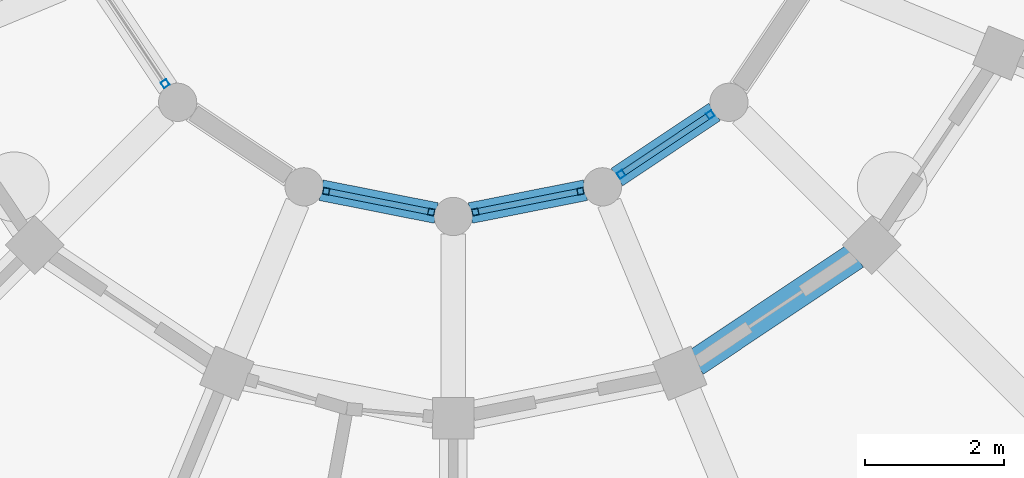
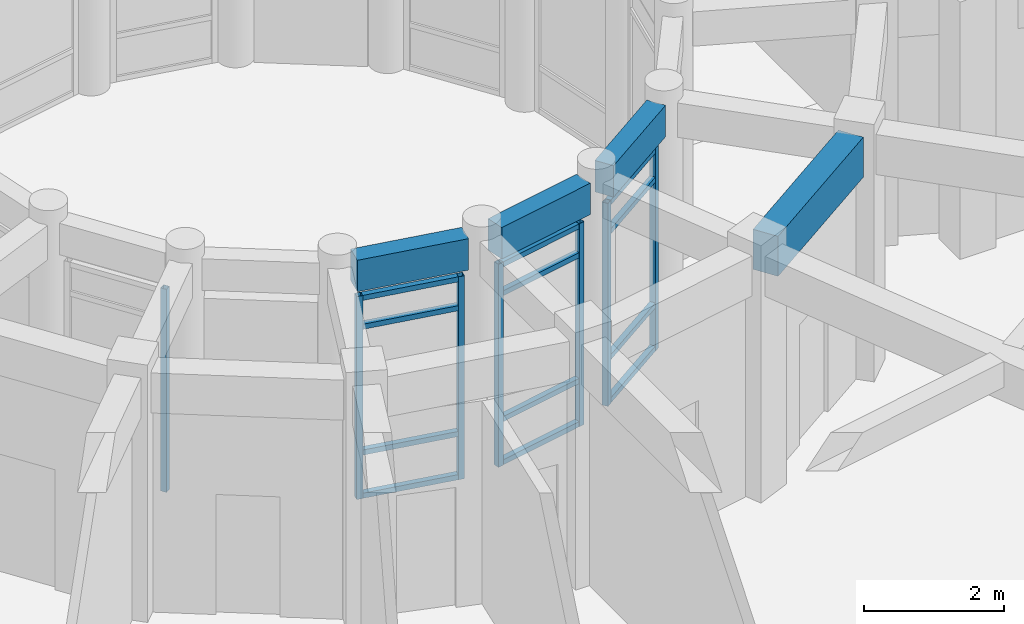
# One storey, part 18 of 153: 19 members, 4 beams, 4 elements without a shape of their own.
"""IFC4 building model written with IfcOpenShell, lengths in metres."""

from ifc_helpers import new_model, si_unit, direction, frame, origin, origin_2d, place, context, subcontext, project, spatial, rectangle, hollow_rectangle, extrude, material, material_profile, profile_set, type_object, element, aggregate, save


model = new_model("IFC4")

# Units and contexts
model_context = context("Model", 3, precision=1e-05, world=origin(), true_north=direction((0.0, 1.0)))
body_context = subcontext(model_context, "Body", "Model", "MODEL_VIEW")
ifc_project = project(units=[si_unit("LENGTHUNIT", "METRE"), si_unit("AREAUNIT", "SQUARE_METRE"), si_unit("VOLUMEUNIT", "CUBIC_METRE"), si_unit("PLANEANGLEUNIT", "RADIAN"), si_unit("MASSUNIT", "GRAM", prefix="KILO")], contexts=[model_context])

# Site, building, storey
site_placement = place(None, origin())
site = spatial("IfcSite", under=ifc_project, at=site_placement, CompositionType="ELEMENT")
building_placement = place(site_placement, origin())
building = spatial("IfcBuilding", under=site, at=building_placement, Name="Celadon Cloister-Ring School", CompositionType="ELEMENT")
storey_placement = place(building_placement, origin())
storey = spatial("IfcBuildingStorey", under=building, at=storey_placement, Name="L00", CompositionType="ELEMENT", Elevation=0.0)

# Curtain wall, member
ifc_material_1 = material(Name="Aluminium EN AW-6063 T6", Category="aluminium")
curtain_wall_type = type_object("IfcCurtainWallType", Name="CW-03", PredefinedType="USERDEFINED", material=ifc_material_1)
curtain_wall_1_placement = place(storey_placement, origin())
curtain_wall_1 = element("IfcCurtainWall", 1, at=curtain_wall_1_placement, inside=storey, type_object=curtain_wall_type, Name="Curtain Wall 0134", ObjectType="CURTAIN WALL", PredefinedType="USERDEFINED")
ifc_material_2 = material(Name="Aluminium EN AW-6063 T6", Category="aluminium")
ifc_material_profile_1 = material_profile(ifc_material_2, hollow_rectangle(XDim=0.094970703125, YDim=0.094970703125, WallThickness=0.00390625, at=origin_2d()), Name="RHS95X95X4")
ifc_profile_set_1 = profile_set([ifc_material_profile_1], Name="Aluminium EN AW-6063 T6")
member_type_1 = type_object("IfcMemberType", Name="CM-02", PredefinedType="MULLION", material=ifc_profile_set_1)
member_1_placement = place(storey_placement, frame((16.060546875, 16.30859375, 0.0), z_axis=(0.0, 0.0, 1.0), x_axis=(0.831485091394, 0.555547066224, 0.0)))
member_1 = element("IfcMember", 2, at=member_1_placement, type_object=member_type_1, Name="CW-03 mullion 2", PredefinedType="MULLION", context=body_context, shape_type="SweptSolid", body=[
    extrude(hollow_rectangle(XDim=0.094970703125, YDim=0.094970703125, WallThickness=0.00390625, at=origin_2d()), origin(), (0.0, 0.0, 1.0), 3.550048828125),
])
aggregate(curtain_wall_1, [member_1])

# Curtain wall, members
curtain_wall_2_placement = place(storey_placement, origin())
curtain_wall_2 = element("IfcCurtainWall", 3, at=curtain_wall_2_placement, inside=storey, type_object=curtain_wall_type, Name="Curtain Wall 0135", ObjectType="CURTAIN WALL", PredefinedType="USERDEFINED")
member_2_placement = place(storey_placement, frame((18.37353515625, 14.7626953125, 0.0), z_axis=(0.0, 0.0, 1.0), x_axis=(0.194586131301, 0.980885435464, 0.0)))
member_2 = element("IfcMember", 4, at=member_2_placement, type_object=member_type_1, Name="CW-03 mullion 1", PredefinedType="MULLION", context=body_context, shape_type="SweptSolid", body=[
    extrude(hollow_rectangle(XDim=0.094970703125, YDim=0.094970703125, WallThickness=0.00390625, at=origin_2d()), origin(), (0.0, 0.0, 1.0), 3.550048828125),
])
member_3_placement = place(storey_placement, frame((19.88330078125, 14.463134765625, 0.0), z_axis=(0.0, 0.0, 1.0), x_axis=(0.194586131301, 0.980885435464, 0.0)))
member_3 = element("IfcMember", 5, at=member_3_placement, type_object=member_type_1, Name="CW-03 mullion 2", PredefinedType="MULLION", context=body_context, shape_type="SweptSolid", body=[
    extrude(hollow_rectangle(XDim=0.094970703125, YDim=0.094970703125, WallThickness=0.00390625, at=origin_2d()), origin(), (0.0, 0.0, 1.0), 3.550048828125),
])

curtain_wall_3_placement = place(storey_placement, origin())
curtain_wall_3 = element("IfcCurtainWall", 6, at=curtain_wall_3_placement, inside=storey, type_object=curtain_wall_type, Name="Curtain Wall 0136", ObjectType="CURTAIN WALL", PredefinedType="USERDEFINED")
member_4_placement = place(storey_placement, frame((20.5166015625, 14.463134765625, 0.0), z_axis=(0.0, 0.0, 1.0), x_axis=(-0.194586131301, 0.980885435464, 0.0)))
member_4 = element("IfcMember", 7, at=member_4_placement, type_object=member_type_1, Name="CW-03 mullion 1", PredefinedType="MULLION", context=body_context, shape_type="SweptSolid", body=[
    extrude(hollow_rectangle(XDim=0.094970703125, YDim=0.094970703125, WallThickness=0.00390625, at=origin_2d()), origin(), (0.0, 0.0, 1.0), 3.550048828125),
])
member_5_placement = place(storey_placement, frame((22.0263671875, 14.7626953125, 0.0), z_axis=(0.0, 0.0, 1.0), x_axis=(-0.194586131301, 0.980885435464, 0.0)))
member_5 = element("IfcMember", 8, at=member_5_placement, type_object=member_type_1, Name="CW-03 mullion 2", PredefinedType="MULLION", context=body_context, shape_type="SweptSolid", body=[
    extrude(hollow_rectangle(XDim=0.094970703125, YDim=0.094970703125, WallThickness=0.00390625, at=origin_2d()), origin(), (0.0, 0.0, 1.0), 3.550048828125),
])

curtain_wall_4_placement = place(storey_placement, origin())
curtain_wall_4 = element("IfcCurtainWall", 9, at=curtain_wall_4_placement, inside=storey, type_object=curtain_wall_type, Name="Curtain Wall 0137", ObjectType="CURTAIN WALL", PredefinedType="USERDEFINED")
member_6_placement = place(storey_placement, frame((22.611572265625, 15.00537109375, 0.0), z_axis=(0.0, 0.0, 1.0), x_axis=(-0.555547066224, 0.831485091394, 0.0)))
member_6 = element("IfcMember", 10, at=member_6_placement, type_object=member_type_1, Name="CW-03 mullion 1", PredefinedType="MULLION", context=body_context, shape_type="SweptSolid", body=[
    extrude(hollow_rectangle(XDim=0.094970703125, YDim=0.094970703125, WallThickness=0.00390625, at=origin_2d()), origin(), (0.0, 0.0, 1.0), 3.550048828125),
])
member_7_placement = place(storey_placement, frame((23.8916015625, 15.860595703125, 0.0), z_axis=(0.0, 0.0, 1.0), x_axis=(-0.555547066224, 0.831485091394, 0.0)))
member_7 = element("IfcMember", 11, at=member_7_placement, type_object=member_type_1, Name="CW-03 mullion 2", PredefinedType="MULLION", context=body_context, shape_type="SweptSolid", body=[
    extrude(hollow_rectangle(XDim=0.094970703125, YDim=0.094970703125, WallThickness=0.00390625, at=origin_2d()), origin(), (0.0, 0.0, 1.0), 3.550048828125),
])

# Member
ifc_material_3 = material(Name="Aluminium EN AW-6063 T6", Category="aluminium")
ifc_material_profile_2 = material_profile(ifc_material_3, hollow_rectangle(XDim=0.090087890625, YDim=0.090087890625, WallThickness=0.00390625, at=origin_2d()), Name="RHS90X90X4")
ifc_profile_set_2 = profile_set([ifc_material_profile_2], Name="Aluminium EN AW-6063 T6")
member_type_2 = type_object("IfcMemberType", Name="CTM-02", PredefinedType="USERDEFINED", material=ifc_profile_set_2)
member_8_placement = place(storey_placement, frame((18.420166015625, 14.75341796875, 0.044921875), z_axis=(0.98089149302, -0.194555593394, 0.0), x_axis=(0.194555593394, 0.98089149302, 0.0)))
member_8 = element("IfcMember", 12, at=member_8_placement, type_object=member_type_2, Name="CW-03 transom 1.1", ObjectType="TRANSOM", PredefinedType="USERDEFINED", context=body_context, shape_type="SweptSolid", body=[
    extrude(hollow_rectangle(XDim=0.090087890625, YDim=0.090087890625, WallThickness=0.00390625, at=origin_2d()), origin(), (0.0, 0.0, 1.0), 1.4443359375),
])

member_9_placement = place(storey_placement, frame((18.420166015625, 14.75341796875, 0.800048828125), z_axis=(0.98089149302, -0.194555593394, 0.0), x_axis=(0.194555593394, 0.98089149302, 0.0)))
member_9 = element("IfcMember", 13, at=member_9_placement, type_object=member_type_2, Name="CW-03 transom 1.2", ObjectType="TRANSOM", PredefinedType="USERDEFINED", context=body_context, shape_type="SweptSolid", body=[
    extrude(hollow_rectangle(XDim=0.090087890625, YDim=0.090087890625, WallThickness=0.00390625, at=origin_2d()), origin(), (0.0, 0.0, 1.0), 1.4443359375),
])

member_10_placement = place(storey_placement, frame((18.420166015625, 14.75341796875, 3.0), z_axis=(0.98089149302, -0.194555593394, 0.0), x_axis=(0.194555593394, 0.98089149302, 0.0)))
member_10 = element("IfcMember", 14, at=member_10_placement, type_object=member_type_2, Name="CW-03 transom 1.3", ObjectType="TRANSOM", PredefinedType="USERDEFINED", context=body_context, shape_type="SweptSolid", body=[
    extrude(hollow_rectangle(XDim=0.090087890625, YDim=0.090087890625, WallThickness=0.00390625, at=origin_2d()), origin(), (0.0, 0.0, 1.0), 1.4443359375),
])

member_11_placement = place(storey_placement, frame((18.420166015625, 14.75341796875, 3.5048828125), z_axis=(0.98089149302, -0.194555593394, 0.0), x_axis=(0.194555593394, 0.98089149302, 0.0)))
member_11 = element("IfcMember", 15, at=member_11_placement, type_object=member_type_2, Name="CW-03 transom 1.4", ObjectType="TRANSOM", PredefinedType="USERDEFINED", context=body_context, shape_type="SweptSolid", body=[
    extrude(hollow_rectangle(XDim=0.090087890625, YDim=0.090087890625, WallThickness=0.00390625, at=origin_2d()), origin(), (0.0, 0.0, 1.0), 1.4443359375),
])

aggregate(curtain_wall_2, [member_2, member_3, member_8, member_9, member_10, member_11])

member_12_placement = place(storey_placement, frame((20.563232421875, 14.472412109375, 0.044921875), z_axis=(0.980885093257, 0.194587856315, 0.0), x_axis=(-0.194587856315, 0.980885093257, 0.0)))
member_12 = element("IfcMember", 16, at=member_12_placement, type_object=member_type_2, Name="CW-03 transom 1.1", ObjectType="TRANSOM", PredefinedType="USERDEFINED", context=body_context, shape_type="SweptSolid", body=[
    extrude(hollow_rectangle(XDim=0.090087890625, YDim=0.090087890625, WallThickness=0.00390625, at=origin_2d()), origin(), (0.0, 0.0, 1.0), 1.444091796875),
])

member_13_placement = place(storey_placement, frame((20.563232421875, 14.472412109375, 0.800048828125), z_axis=(0.980885093257, 0.194587856315, 0.0), x_axis=(-0.194587856315, 0.980885093257, 0.0)))
member_13 = element("IfcMember", 17, at=member_13_placement, type_object=member_type_2, Name="CW-03 transom 1.2", ObjectType="TRANSOM", PredefinedType="USERDEFINED", context=body_context, shape_type="SweptSolid", body=[
    extrude(hollow_rectangle(XDim=0.090087890625, YDim=0.090087890625, WallThickness=0.00390625, at=origin_2d()), origin(), (0.0, 0.0, 1.0), 1.444091796875),
])

member_14_placement = place(storey_placement, frame((20.563232421875, 14.472412109375, 3.0), z_axis=(0.980885093257, 0.194587856315, 0.0), x_axis=(-0.194587856315, 0.980885093257, 0.0)))
member_14 = element("IfcMember", 18, at=member_14_placement, type_object=member_type_2, Name="CW-03 transom 1.3", ObjectType="TRANSOM", PredefinedType="USERDEFINED", context=body_context, shape_type="SweptSolid", body=[
    extrude(hollow_rectangle(XDim=0.090087890625, YDim=0.090087890625, WallThickness=0.00390625, at=origin_2d()), origin(), (0.0, 0.0, 1.0), 1.444091796875),
])

member_15_placement = place(storey_placement, frame((20.563232421875, 14.472412109375, 3.5048828125), z_axis=(0.980885093257, 0.194587856315, 0.0), x_axis=(-0.194587856315, 0.980885093257, 0.0)))
member_15 = element("IfcMember", 19, at=member_15_placement, type_object=member_type_2, Name="CW-03 transom 1.4", ObjectType="TRANSOM", PredefinedType="USERDEFINED", context=body_context, shape_type="SweptSolid", body=[
    extrude(hollow_rectangle(XDim=0.090087890625, YDim=0.090087890625, WallThickness=0.00390625, at=origin_2d()), origin(), (0.0, 0.0, 1.0), 1.444091796875),
])

aggregate(curtain_wall_3, [member_4, member_5, member_12, member_13, member_14, member_15])

member_16_placement = place(storey_placement, frame((22.65087890625, 15.03173828125, 0.044921875), z_axis=(0.831503875559, 0.555518951009, 0.0), x_axis=(-0.555518951009, 0.831503875559, 0.0)))
member_16 = element("IfcMember", 20, at=member_16_placement, type_object=member_type_2, Name="CW-03 transom 1.1", ObjectType="TRANSOM", PredefinedType="USERDEFINED", context=body_context, shape_type="SweptSolid", body=[
    extrude(hollow_rectangle(XDim=0.090087890625, YDim=0.090087890625, WallThickness=0.00390625, at=origin_2d()), origin(), (0.0, 0.0, 1.0), 1.444580078125),
])

member_17_placement = place(storey_placement, frame((22.65087890625, 15.03173828125, 0.800048828125), z_axis=(0.831503875559, 0.555518951009, 0.0), x_axis=(-0.555518951009, 0.831503875559, 0.0)))
member_17 = element("IfcMember", 21, at=member_17_placement, type_object=member_type_2, Name="CW-03 transom 1.2", ObjectType="TRANSOM", PredefinedType="USERDEFINED", context=body_context, shape_type="SweptSolid", body=[
    extrude(hollow_rectangle(XDim=0.090087890625, YDim=0.090087890625, WallThickness=0.00390625, at=origin_2d()), origin(), (0.0, 0.0, 1.0), 1.444580078125),
])

member_18_placement = place(storey_placement, frame((22.65087890625, 15.03173828125, 3.0), z_axis=(0.831503875559, 0.555518951009, 0.0), x_axis=(-0.555518951009, 0.831503875559, 0.0)))
member_18 = element("IfcMember", 22, at=member_18_placement, type_object=member_type_2, Name="CW-03 transom 1.3", ObjectType="TRANSOM", PredefinedType="USERDEFINED", context=body_context, shape_type="SweptSolid", body=[
    extrude(hollow_rectangle(XDim=0.090087890625, YDim=0.090087890625, WallThickness=0.00390625, at=origin_2d()), origin(), (0.0, 0.0, 1.0), 1.444580078125),
])

member_19_placement = place(storey_placement, frame((22.65087890625, 15.03173828125, 3.5048828125), z_axis=(0.831503875559, 0.555518951009, 0.0), x_axis=(-0.555518951009, 0.831503875559, 0.0)))
member_19 = element("IfcMember", 23, at=member_19_placement, type_object=member_type_2, Name="CW-03 transom 1.4", ObjectType="TRANSOM", PredefinedType="USERDEFINED", context=body_context, shape_type="SweptSolid", body=[
    extrude(hollow_rectangle(XDim=0.090087890625, YDim=0.090087890625, WallThickness=0.00390625, at=origin_2d()), origin(), (0.0, 0.0, 1.0), 1.444580078125),
])

aggregate(curtain_wall_4, [member_6, member_7, member_16, member_17, member_18, member_19])

# Beams
ifc_material_4 = material(Name="Concrete C35/45", Category="concrete")
ifc_material_profile_3 = material_profile(ifc_material_4, rectangle(XDim=0.39990234375, YDim=0.699951171875, at=origin_2d()), Name="RC400X700")
ifc_profile_set_3 = profile_set([ifc_material_profile_3], Name="Concrete C35/45")
beam_type_1 = type_object("IfcBeamType", Name="GT-03", PredefinedType="USERDEFINED", material=ifc_profile_set_3)
beam_1_placement = place(storey_placement, frame((23.681884765625, 12.300048828125, 3.909912109375), z_axis=(0.831356966973, 0.555738781682, 0.0), x_axis=(-0.555738781682, 0.831356966973, 0.0)))
element("IfcBeam", 24, at=beam_1_placement, inside=storey, type_object=beam_type_1, Name="Beam 0915", ObjectType="GIRDER", PredefinedType="USERDEFINED", context=body_context, shape_type="SweptSolid", body=[
    extrude(rectangle(XDim=0.39990234375, YDim=0.699951171875, at=origin_2d()), origin(), (0.0, 0.0, 1.0), 2.765380859375),
])
ifc_material_5 = material(Name="Concrete C35/45", Category="concrete")
ifc_material_profile_4 = material_profile(ifc_material_5, rectangle(XDim=0.300048828125, YDim=0.550048828125, at=origin_2d()), Name="RC300X550")
ifc_profile_set_4 = profile_set([ifc_material_profile_4], Name="Concrete C35/45")
beam_type_2 = type_object("IfcBeamType", Name="SP-02", PredefinedType="SPANDREL", material=ifc_profile_set_4)
beam_2_placement = place(storey_placement, frame((18.302001953125, 14.777099609375, 3.985107421875), z_axis=(0.980863799725, -0.194695162728, 0.0), x_axis=(0.194695162728, 0.980863799725, 0.0)))
element("IfcBeam", 25, at=beam_2_placement, inside=storey, type_object=beam_type_2, Name="Beam 0908", PredefinedType="SPANDREL", context=body_context, shape_type="SweptSolid", body=[
    extrude(rectangle(XDim=0.300048828125, YDim=0.550048828125, at=origin_2d()), origin(), (0.0, 0.0, 1.0), 1.685302734375),
])
beam_3_placement = place(storey_placement, frame((20.445068359375, 14.448974609375, 3.985107421875), z_axis=(0.980858307367, 0.194722830887, 0.0), x_axis=(-0.194722830887, 0.980858307367, 0.0)))
element("IfcBeam", 26, at=beam_3_placement, inside=storey, type_object=beam_type_2, Name="Beam 0912", PredefinedType="SPANDREL", context=body_context, shape_type="SweptSolid", body=[
    extrude(rectangle(XDim=0.300048828125, YDim=0.550048828125, at=origin_2d()), origin(), (0.0, 0.0, 1.0), 1.68505859375),
])
beam_4_placement = place(storey_placement, frame((22.551025390625, 14.965087890625, 3.985107421875), z_axis=(0.831537153477, 0.555469137204, 0.0), x_axis=(-0.555469137204, 0.831537153477, 0.0)))
element("IfcBeam", 27, at=beam_4_placement, inside=storey, type_object=beam_type_2, Name="Beam 0916", PredefinedType="SPANDREL", context=body_context, shape_type="SweptSolid", body=[
    extrude(rectangle(XDim=0.300048828125, YDim=0.550048828125, at=origin_2d()), origin(), (0.0, 0.0, 1.0), 1.6845703125),
])

save(model, "model.ifc")
